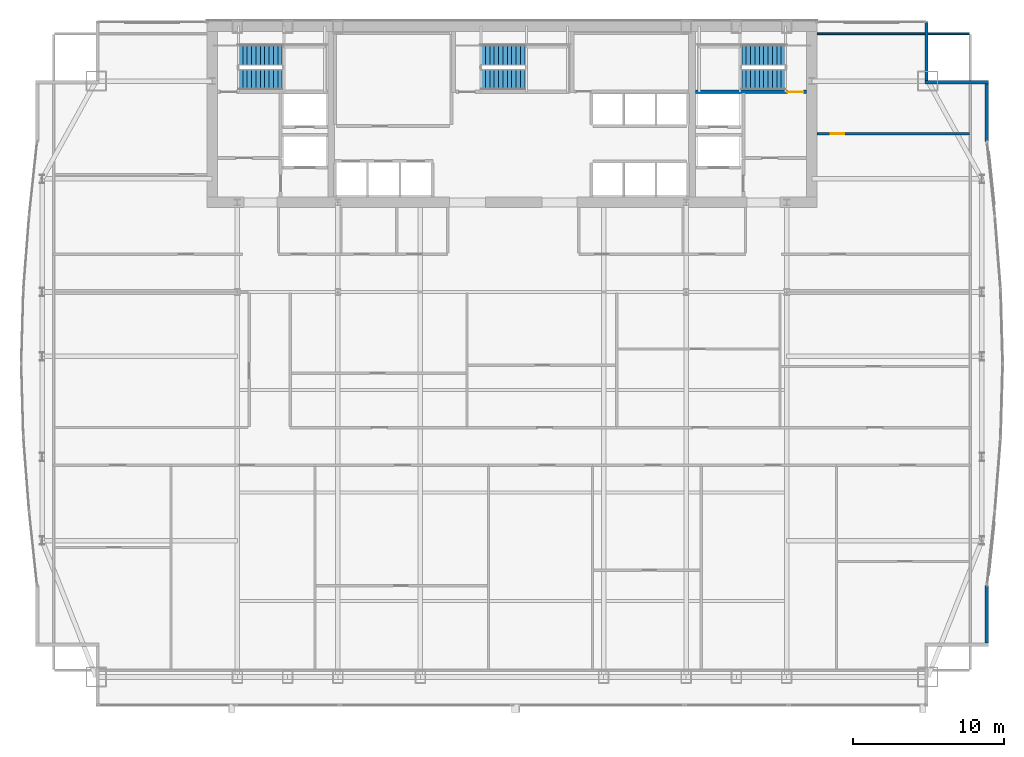
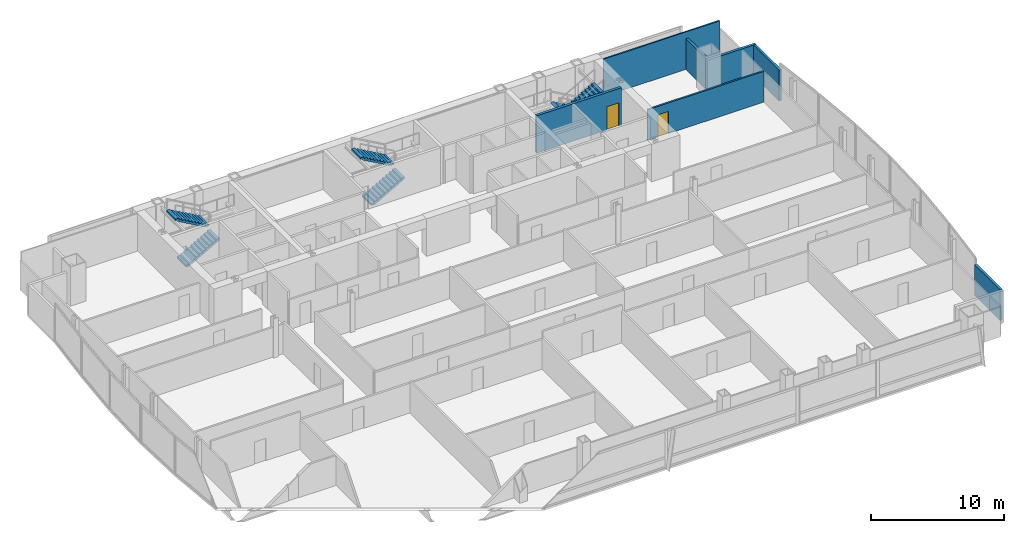
# One storey, part 27 of 29: 7 walls, 6 stair flights, 2 doors, 2 openings, 3 elements without a shape of their own.
"""IFC4 building model written with IfcOpenShell, lengths in metres."""

import ifcopenshell
import ifcopenshell.guid

model = None  # the IFC model being written
_history = None  # IfcOwnerHistory: only IFC2X3 demands one
_inside = {}  # id of a spatial element -> (the spatial element, [elements in it])
_under = {}  # id of a project, library or spatial element -> (it, [spatial elements below it])
_declared = {}  # id of a project -> (the project, [libraries it declares])
_typed = {}  # id of a type object -> (the type object, [elements of that type])
_made_of = {}  # id of a material, layer set ... -> (it, [elements and type objects made of it])


def new_model(schema):
    """Start an empty IFC model of exactly this schema.

    Asked for "IFC4X3", IfcOpenShell would pick the latest addendum, in which some entities
    have other attributes; the version numbers below select the first issue.
    IFC2X3 requires an IfcOwnerHistory on every rooted entity: one is made here for all.
    """
    global model, _history
    if schema == "IFC4X3":
        model = ifcopenshell.file(schema_version=(4, 3, 0, 0))
    else:
        model = ifcopenshell.file(schema=schema)
    _inside.clear()
    _under.clear()
    _declared.clear()
    _typed.clear()
    _made_of.clear()
    _history = None
    if model.schema == "IFC2X3":
        org = make("IfcOrganization", Name="unknown")
        user = make(
            "IfcPersonAndOrganization",
            ThePerson=make("IfcPerson", FamilyName="unknown"),
            TheOrganization=org,
        )
        app = make(
            "IfcApplication",
            ApplicationDeveloper=org,
            Version="unknown",
            ApplicationFullName="unknown",
            ApplicationIdentifier="unknown",
        )
        _history = make(
            "IfcOwnerHistory",
            OwningUser=user,
            OwningApplication=app,
            ChangeAction="ADDED",
            CreationDate=0,
        )
    return model


def make(cls, **values):
    """One entity of the class cls with the attributes given. An attribute that is None is left unset."""
    return model.create_entity(
        cls, **{name: value for name, value in values.items() if value is not None}
    )


def rooted(cls, **values):
    """An entity with a GlobalId (a new one), such as an element, a storey or a relation."""
    return make(cls, GlobalId=ifcopenshell.guid.new(), OwnerHistory=_history, **values)


def si_unit(unit_type, name, prefix=None):
    """IfcSIUnit, for example si_unit("LENGTHUNIT", "METRE", prefix="MILLI")."""
    return make("IfcSIUnit", UnitType=unit_type, Prefix=prefix, Name=name)


def assignment(units):
    """IfcUnitAssignment: the units of a project."""
    return None if units is None else make("IfcUnitAssignment", Units=units)


def point(xyz):
    """IfcCartesianPoint."""
    return None if xyz is None else make("IfcCartesianPoint", Coordinates=xyz)


def direction(xyz):
    """IfcDirection."""
    return None if xyz is None else make("IfcDirection", DirectionRatios=xyz)


def frame(location, z_axis=None, x_axis=None):
    """IfcAxis2Placement3D, a coordinate frame: its origin and axes. An axis left out is left unset."""
    return make(
        "IfcAxis2Placement3D",
        Location=point(location),
        Axis=direction(z_axis),
        RefDirection=direction(x_axis),
    )


def frame_2d(location, x_axis=None):
    """IfcAxis2Placement2D, a coordinate frame in the plane: its origin and x axis."""
    return make(
        "IfcAxis2Placement2D", Location=point(location), RefDirection=direction(x_axis)
    )


def origin():
    """The frame at (0, 0, 0) with its axes left unset."""
    return frame((0.0, 0.0, 0.0))


def place(relative_to, where):
    """IfcLocalPlacement: puts the frame where relative to a parent placement (None: the world)."""
    return make(
        "IfcLocalPlacement", PlacementRelTo=relative_to, RelativePlacement=where
    )


def context(
    kind, dimensions, precision=None, world=None, true_north=None, identifier=None
):
    """IfcGeometricRepresentationContext, for example the 3D "Model" context."""
    return make(
        "IfcGeometricRepresentationContext",
        ContextIdentifier=identifier,
        ContextType=kind,
        CoordinateSpaceDimension=dimensions,
        Precision=precision,
        WorldCoordinateSystem=world,
        TrueNorth=true_north,
    )


def subcontext(parent, identifier, kind, view, scale=None):
    """IfcGeometricRepresentationSubContext, for example "Body" below "Model"."""
    return make(
        "IfcGeometricRepresentationSubContext",
        ContextIdentifier=identifier,
        ContextType=kind,
        ParentContext=parent,
        TargetScale=scale,
        TargetView=view,
    )


def project(units=None, contexts=None):
    """IfcProject with its units and contexts."""
    return rooted(
        "IfcProject",
        Name="project",
        RepresentationContexts=contexts,
        UnitsInContext=assignment(units),
    )


def spatial(cls, under=None, at=None, **own):
    """A site, building, storey or space (cls), placed at a placement, below another one or the project."""
    s = rooted(cls, ObjectPlacement=at, **own)
    if under is not None:
        _under.setdefault(under.id(), (under, []))[1].append(s)
    return s


def polyline(points):
    """IfcPolyline through the points."""
    return make("IfcPolyline", Points=[point(p) for p in points])


def profile(cls, at=None, kind="AREA", **sizes):
    """A parametric profile (cls). Its sizes go by their IFC names, for example OverallWidth=200.0."""
    return make(cls, ProfileType=kind, Position=at, **sizes)


def rectangle(**sizes):
    """IfcRectangleProfileDef."""
    return profile("IfcRectangleProfileDef", **sizes)


def outline(outer, holes=None, kind="AREA"):
    """IfcArbitraryClosedProfileDef: a profile drawn as a closed curve; with holes, ...WithVoids."""
    if holes is None:
        return make("IfcArbitraryClosedProfileDef", ProfileType=kind, OuterCurve=outer)
    return make(
        "IfcArbitraryProfileDefWithVoids",
        ProfileType=kind,
        OuterCurve=outer,
        InnerCurves=holes,
    )


def extrude(swept, where, along, depth):
    """IfcExtrudedAreaSolid: the profile swept, set in the frame where, extruded along a direction by depth."""
    return make(
        "IfcExtrudedAreaSolid",
        SweptArea=swept,
        Position=where,
        ExtrudedDirection=direction(along),
        Depth=depth,
    )


def shape(context_of_items, identifier, shape_type, items):
    """IfcShapeRepresentation: the items that make up one representation, for example the "Body"."""
    return make(
        "IfcShapeRepresentation",
        ContextOfItems=context_of_items,
        RepresentationIdentifier=identifier,
        RepresentationType=shape_type,
        Items=items,
    )


def material(Name=None, Category=None):
    """IfcMaterial."""
    return make("IfcMaterial", Name=Name, Category=Category)


def layer(
    of_material, thickness, ventilated=None, Name=None, Category=None, Priority=None
):
    """IfcMaterialLayer: one layer of a wall or slab, of a material (None: an air gap)."""
    return make(
        "IfcMaterialLayer",
        Material=of_material,
        LayerThickness=thickness,
        IsVentilated=ventilated,
        Name=Name,
        Category=Category,
        Priority=Priority,
    )


def layer_set(layers, Name=None):
    """IfcMaterialLayerSet."""
    return make("IfcMaterialLayerSet", MaterialLayers=layers, LayerSetName=Name)


def made_of(thing, what):
    """Note that an element or type object is made of a material, layer set ...; save() writes the relation."""
    if what is not None:
        _made_of.setdefault(what.id(), (what, []))[1].append(thing)
    return thing


def type_object(cls, material=None, **own):
    """A type object (cls), such as IfcWallType, which elements share."""
    return made_of(rooted(cls, **own), material)


def element(
    cls,
    number,
    at=None,
    inside=None,
    cuts=None,
    type_object=None,
    material=None,
    context=None,
    identifier="Body",
    shape_type=None,
    held_by="IfcProductDefinitionShape",
    body=None,
    shapes=None,
    **own,
):
    """One element of the class cls, such as IfcWall. Its Tag is "e" and its number.

    at: its placement. inside: the storey or other place that contains it. cuts: it is an
    opening in that element (IfcRelVoidsElement). A single representation is given by context,
    identifier, shape_type and body (its items); several are given by shapes. held_by: the class
    of the entity that holds the representations. save() writes the other relations.
    """
    e = rooted(cls, Tag="e%d" % number, ObjectPlacement=at, **own)
    if body is not None:
        shapes = [shape(context, identifier, shape_type, body)]
    if shapes is not None:
        e.Representation = make(held_by, Representations=shapes)
    if inside is not None:
        _inside.setdefault(inside.id(), (inside, []))[1].append(e)
    if cuts is not None:
        rooted(
            "IfcRelVoidsElement", RelatingBuildingElement=cuts, RelatedOpeningElement=e
        )
    if type_object is not None:
        _typed.setdefault(type_object.id(), (type_object, []))[1].append(e)
    return made_of(e, material)


def fill(opening, filler):
    """IfcRelFillsElement: the door or window that sits in an opening."""
    return rooted(
        "IfcRelFillsElement",
        RelatingOpeningElement=opening,
        RelatedBuildingElement=filler,
    )


def aggregate(whole, parts):
    """IfcRelAggregates: a whole, such as a stair, and the parts it consists of."""
    return rooted("IfcRelAggregates", RelatingObject=whole, RelatedObjects=parts)


def save(model, path):
    """Write the relations noted so far, then the file.

    IfcRelAggregates (storeys below a building ...), IfcRelContainedInSpatialStructure (elements
    in a storey), IfcRelDefinesByType, IfcRelAssociatesMaterial and IfcRelDeclares: one each for
    every whole, place, type object, material and project.
    """
    for whole, parts in _under.values():
        aggregate(whole, parts)
    for where, things in _inside.values():
        rooted(
            "IfcRelContainedInSpatialStructure",
            RelatedElements=things,
            RelatingStructure=where,
        )
    for kind, things in _typed.values():
        rooted("IfcRelDefinesByType", RelatedObjects=things, RelatingType=kind)
    for what, things in _made_of.values():
        rooted("IfcRelAssociatesMaterial", RelatedObjects=things, RelatingMaterial=what)
    for by, libraries in _declared.values():
        rooted("IfcRelDeclares", RelatingContext=by, RelatedDefinitions=libraries)
    model.write(path)


model = new_model("IFC4")

# Units and contexts
model_context = context("Model", 3, precision=1e-05, world=origin(), true_north=direction((0.0, 1.0)))
body_context = subcontext(model_context, "Body", "Model", "MODEL_VIEW")
ifc_project = project(units=[si_unit("LENGTHUNIT", "METRE"), si_unit("AREAUNIT", "SQUARE_METRE"), si_unit("VOLUMEUNIT", "CUBIC_METRE"), si_unit("PLANEANGLEUNIT", "RADIAN"), si_unit("MASSUNIT", "GRAM", prefix="KILO")], contexts=[model_context])

# Site, building, storey
site_placement = place(None, origin())
site = spatial("IfcSite", under=ifc_project, at=site_placement, CompositionType="ELEMENT")
building_placement = place(site_placement, origin())
building = spatial("IfcBuilding", under=site, at=building_placement, Name="Khoronbel Lancet Exchange", CompositionType="ELEMENT")
storey_placement = place(building_placement, frame((0.0, 0.0, 139.800048828125)))
storey = spatial("IfcBuildingStorey", under=building, at=storey_placement, Name="L34", CompositionType="ELEMENT", Elevation=139.800048828125)

# Walls
ifc_material_1 = material(Name="Precast concrete C40/50", Category="concrete")
ifc_layer_1 = layer(ifc_material_1, 0.25, Name="Precast concrete C40/50")
ifc_layer_set_1 = layer_set([ifc_layer_1], Name="Precast concrete C40/50")
wall_type_1 = type_object("IfcWallType", Name="WL-EXT250", PredefinedType="SOLIDWALL", material=ifc_layer_set_1)
wall_1_placement = place(storey_placement, frame((63.9599609375, 53.6298828125, 0.0), z_axis=(0.0, 0.0, 1.0), x_axis=(0.0, -1.0, 0.0)))
element("IfcWall", 1, at=wall_1_placement, inside=storey, type_object=wall_type_1, Name="Level L34 notched-corner limestone pier 14", PredefinedType="SOLIDWALL", context=body_context, shape_type="SweptSolid", body=[
    extrude(rectangle(XDim=3.909912109375, YDim=0.219970703125, at=frame_2d((1.955078125, 0.0))), origin(), (0.0, 0.0, 1.0), 2.829833984375),
])
wall_2_placement = place(storey_placement, frame((63.85009765625, 49.610107421875, 0.0), z_axis=(0.0, 0.0, 1.0), x_axis=(1.0, 0.0, 0.0)))
element("IfcWall", 2, at=wall_2_placement, inside=storey, type_object=wall_type_1, Name="Level L34 notched-corner limestone pier 15", PredefinedType="SOLIDWALL", context=body_context, shape_type="SweptSolid", body=[
    extrude(rectangle(XDim=4.219970703125, YDim=0.219970703125, at=frame_2d((2.10986328125, 0.0))), origin(), (0.0, 0.0, 1.0), 2.829833984375),
])
wall_3_placement = place(storey_placement, frame((67.9599609375, 49.5, 0.0), z_axis=(0.0, 0.0, 1.0), x_axis=(0.0, -1.0, 0.0)))
element("IfcWall", 3, at=wall_3_placement, inside=storey, type_object=wall_type_1, Name="Level L34 notched-corner limestone pier 16", PredefinedType="SOLIDWALL", context=body_context, shape_type="SweptSolid", body=[
    extrude(rectangle(XDim=3.82470703125, YDim=0.219970703125, at=frame_2d((1.912353515625, 0.0))), origin(), (0.0, 0.0, 1.0), 2.829833984375),
])
wall_4_placement = place(storey_placement, frame((67.9599609375, 16.224853515625, 0.0), z_axis=(0.0, 0.0, 1.0), x_axis=(0.0, -1.0, 0.0)))
element("IfcWall", 4, at=wall_4_placement, inside=storey, type_object=wall_type_1, Name="Level L34 notched-corner limestone pier 23", PredefinedType="SOLIDWALL", context=body_context, shape_type="SweptSolid", body=[
    extrude(rectangle(XDim=3.824951171875, YDim=0.219970703125, at=frame_2d((1.91259765625, 0.0))), origin(), (0.0, 0.0, 1.0), 2.829833984375),
])

# Wall, opening, door
ifc_material_2 = material(Name="Acoustic Metal-Stud & Mineral-Wool Gypsum Partition 120 mm", Category="gypsum")
ifc_layer_2 = layer(ifc_material_2, 0.1201171875, Name="Acoustic Metal-Stud & Mineral-Wool Gypsum Partition 120 mm")
ifc_layer_set_2 = layer_set([ifc_layer_2], Name="Acoustic Metal-Stud & Mineral-Wool Gypsum Partition 120 mm")
wall_type_2 = type_object("IfcWallType", Name="WL-PRT120", PredefinedType="PARTITIONING", material=ifc_layer_set_2)
wall_5_placement = place(storey_placement, frame((56.699951171875, 46.199951171875, 0.0), z_axis=(0.0, 0.0, 1.0), x_axis=(1.0, 0.0, 0.0)))
wall_5 = element("IfcWall", 5, at=wall_5_placement, inside=storey, type_object=wall_type_2, Name="Level L34 interior partition PW-NE-H", PredefinedType="PARTITIONING", context=body_context, shape_type="SweptSolid", body=[
    extrude(rectangle(XDim=10.10498046875, YDim=0.14990234375, at=frame_2d((5.052490234375, 0.0))), origin(), (0.0, 0.0, 1.0), 2.829833984375),
])
opening_1_placement = place(wall_5_placement, frame((0.89990234375, 0.0, 0.0)))
opening_1 = element("IfcOpeningElement", 6, at=opening_1_placement, cuts=wall_5, Name="Opening D5", PredefinedType="OPENING", context=body_context, shape_type="SweptSolid", body=[
    extrude(rectangle(XDim=0.89990234375, YDim=2.050048828125, at=frame_2d((0.449951171875, 1.02490234375))), frame((0.0, 0.0849609375, 0.0), z_axis=(0.0, -1.0, 0.0), x_axis=(1.0, 0.0, 0.0)), (0.0, 0.0, 1.0), 0.169921875),
])
ifc_material_3 = material(Name="Acoustic Timber Pantry & Support Door", Category="wood")
door_type_1 = type_object("IfcDoorType", Name="DR-D5", OperationType="NOTDEFINED", PredefinedType="DOOR", material=ifc_material_3)
door_1_placement = place(opening_1_placement, origin())
door_1 = element("IfcDoor", 7, at=door_1_placement, inside=storey, type_object=door_type_1, Name="NE north room door L34-1", OperationType="SINGLE_SWING_RIGHT", OverallHeight=2.050048828125, OverallWidth=0.89990234375, PredefinedType="DOOR", context=body_context, shape_type="SweptSolid", body=[
    extrude(rectangle(XDim=0.89990234375, YDim=2.050048828125, at=frame_2d((0.449951171875, 1.02490234375))), frame((0.0, 0.02490234375, 0.0), z_axis=(0.0, -1.0, 0.0), x_axis=(1.0, 0.0, 0.0)), (0.0, 0.0, 1.0), 0.050048828125),
])
fill(opening_1, door_1)

# Wall
wall_6_placement = place(storey_placement, frame((56.699951171875, 52.840087890625, 0.0), z_axis=(0.0, 0.0, 1.0), x_axis=(1.0, 0.0, 0.0)))
element("IfcWall", 8, at=wall_6_placement, inside=storey, type_object=wall_type_2, Name="Level L34 interior partition PW-LIN-NE", PredefinedType="PARTITIONING", context=body_context, shape_type="SweptSolid", body=[
    extrude(rectangle(XDim=10.10498046875, YDim=0.1201171875, at=frame_2d((5.052490234375, 0.0))), origin(), (0.0, 0.0, 1.0), 3.43994140625),
])

# Wall, opening, door
ifc_material_4 = material(Name="Concrete C60/75", Category="concrete")
ifc_layer_3 = layer(ifc_material_4, 0.260009765625, Name="Concrete C60/75")
ifc_layer_set_3 = layer_set([ifc_layer_3], Name="Concrete C60/75")
wall_type_3 = type_object("IfcWallType", Name="WL-SW3", PredefinedType="SHEAR", material=ifc_layer_set_3)
wall_7_placement = place(storey_placement, frame((48.6298828125, 48.97998046875, 0.0), z_axis=(0.0, 0.0, 1.0), x_axis=(1.0, 0.0, 0.0)))
wall_7 = element("IfcWall", 9, at=wall_7_placement, inside=storey, type_object=wall_type_3, Name="Level L34 east stairwell structural south wall", PredefinedType="SHEAR", context=body_context, shape_type="SweptSolid", body=[
    extrude(rectangle(XDim=7.3701171875, YDim=0.239990234375, at=frame_2d((3.68505859375, 0.0))), origin(), (0.0, 0.0, 1.0), 3.43994140625),
])
opening_2_placement = place(wall_7_placement, frame((6.10009765625, 0.0, 0.0)))
opening_2 = element("IfcOpeningElement", 10, at=opening_2_placement, cuts=wall_7, Name="Opening SD1", PredefinedType="OPENING", context=body_context, shape_type="SweptSolid", body=[
    extrude(rectangle(XDim=1.050048828125, YDim=2.14990234375, at=frame_2d((0.52490234375, 1.074951171875))), frame((0.0, 0.1298828125, 0.0), z_axis=(0.0, -1.0, 0.0), x_axis=(1.0, 0.0, 0.0)), (0.0, 0.0, 1.0), 0.260009765625),
])
ifc_material_5 = material(Name="Fire-Rated Steel Stairwell Door Assembly", Category="steel")
door_type_2 = type_object("IfcDoorType", Name="DR-SD1", OperationType="NOTDEFINED", PredefinedType="DOOR", material=ifc_material_5)
door_2_placement = place(opening_2_placement, origin())
door_2 = element("IfcDoor", 11, at=door_2_placement, inside=storey, type_object=door_type_2, Name="Protected exit stair ST2 door L34", OperationType="SINGLE_SWING_RIGHT", OverallHeight=2.14990234375, OverallWidth=1.050048828125, PredefinedType="DOOR", context=body_context, shape_type="SweptSolid", body=[
    extrude(rectangle(XDim=1.050048828125, YDim=2.14990234375, at=frame_2d((0.52490234375, 1.074951171875))), frame((0.0, 0.02490234375, 0.0), z_axis=(0.0, -1.0, 0.0), x_axis=(1.0, 0.0, 0.0)), (0.0, 0.0, 1.0), 0.050048828125),
])
fill(opening_2, door_2)

# Stair, stair flights
ifc_material_6 = material(Name="Concrete C40/50", Category="concrete")
stair_type = type_object("IfcStairType", Name="STR-CORE150", PredefinedType="HALF_TURN_STAIR", material=ifc_material_6)
stair_1_placement = place(storey_placement, origin())
stair_1 = element("IfcStair", 12, at=stair_1_placement, inside=storey, type_object=stair_type, Name="L34 Protected Exit Stair ST1", PredefinedType="HALF_TURN_STAIR")
stair_flight_type = type_object("IfcStairFlightType", Name="STF-150", PredefinedType="STRAIGHT", material=ifc_material_6)
stair_flight_1_placement = place(storey_placement, frame((18.300048828125, 49.81005859375, 0.0), z_axis=(0.0, 0.0, 1.0), x_axis=(1.0, 0.0, 0.0)))
stair_flight_1 = element("IfcStairFlight", 13, at=stair_flight_1_placement, type_object=stair_flight_type, Name="ST1 flight 1", NumberOfRisers=11, NumberOfTreads=10, PredefinedType="STRAIGHT", RiserHeight=0.163636364, TreadLength=0.29, context=body_context, shape_type="SweptSolid", body=[
    extrude(outline(polyline([(0.0, 0.0), (0.0, 0.16357421875), (0.2900390625, 0.16357421875), (0.2900390625, 0.327392578125), (0.580078125, 0.327392578125), (0.580078125, 0.490966796875), (0.8701171875, 0.490966796875), (0.8701171875, 0.654541015625), (1.159912109375, 0.654541015625), (1.159912109375, 0.818115234375), (1.449951171875, 0.818115234375), (1.449951171875, 0.98193359375), (1.739990234375, 0.98193359375), (1.739990234375, 1.1455078125), (2.030029296875, 1.1455078125), (2.030029296875, 1.30908203125), (2.320068359375, 1.30908203125), (2.320068359375, 1.47265625), (2.610107421875, 1.47265625), (2.610107421875, 1.636474609375), (2.89990234375, 1.636474609375), (2.89990234375, 1.800048828125), (2.89990234375, 1.46435546875), (0.304931640625, 0.0), (0.0, 0.0)])), frame((0.0, 0.68994140625, 0.0), z_axis=(0.0, -1.0, 0.0), x_axis=(1.0, 0.0, 0.0)), (0.0, 0.0, 1.0), 1.3798828125),
])
stair_flight_2_placement = place(storey_placement, frame((21.199951171875, 51.409912109375, 1.800048828125), z_axis=(0.0, 0.0, 1.0), x_axis=(-1.0, 0.0, 0.0)))
stair_flight_2 = element("IfcStairFlight", 14, at=stair_flight_2_placement, type_object=stair_flight_type, Name="ST1 flight 2", NumberOfRisers=11, NumberOfTreads=10, PredefinedType="STRAIGHT", RiserHeight=0.163636364, TreadLength=0.29, context=body_context, shape_type="SweptSolid", body=[
    extrude(outline(polyline([(0.0, 0.0), (0.0, 0.16357421875), (0.2900390625, 0.16357421875), (0.2900390625, 0.327392578125), (0.580078125, 0.327392578125), (0.580078125, 0.490966796875), (0.8701171875, 0.490966796875), (0.8701171875, 0.654541015625), (1.159912109375, 0.654541015625), (1.159912109375, 0.818115234375), (1.449951171875, 0.818115234375), (1.449951171875, 0.98193359375), (1.739990234375, 0.98193359375), (1.739990234375, 1.1455078125), (2.030029296875, 1.1455078125), (2.030029296875, 1.30908203125), (2.320068359375, 1.30908203125), (2.320068359375, 1.47265625), (2.610107421875, 1.47265625), (2.610107421875, 1.636474609375), (2.89990234375, 1.636474609375), (2.89990234375, 1.800048828125), (2.89990234375, 1.46435546875), (0.304931640625, 0.0), (0.0, 0.0)])), frame((0.0, 0.68994140625, 0.0), z_axis=(0.0, -1.0, 0.0), x_axis=(1.0, 0.0, 0.0)), (0.0, 0.0, 1.0), 1.3798828125),
])
aggregate(stair_1, [stair_flight_1, stair_flight_2])

stair_2_placement = place(storey_placement, origin())
stair_2 = element("IfcStair", 15, at=stair_2_placement, inside=storey, type_object=stair_type, Name="L34 Protected Exit Stair ST2", PredefinedType="HALF_TURN_STAIR")
stair_flight_3_placement = place(storey_placement, frame((54.60009765625, 51.409912109375, 0.0), z_axis=(0.0, 0.0, 1.0), x_axis=(-1.0, 0.0, 0.0)))
stair_flight_3 = element("IfcStairFlight", 16, at=stair_flight_3_placement, type_object=stair_flight_type, Name="ST2 flight 1", NumberOfRisers=11, NumberOfTreads=10, PredefinedType="STRAIGHT", RiserHeight=0.163636364, TreadLength=0.29, context=body_context, shape_type="SweptSolid", body=[
    extrude(outline(polyline([(0.0, 0.0), (0.0, 0.16357421875), (0.2900390625, 0.16357421875), (0.2900390625, 0.327392578125), (0.580078125, 0.327392578125), (0.580078125, 0.490966796875), (0.8701171875, 0.490966796875), (0.8701171875, 0.654541015625), (1.159912109375, 0.654541015625), (1.159912109375, 0.818115234375), (1.449951171875, 0.818115234375), (1.449951171875, 0.98193359375), (1.739990234375, 0.98193359375), (1.739990234375, 1.1455078125), (2.030029296875, 1.1455078125), (2.030029296875, 1.30908203125), (2.320068359375, 1.30908203125), (2.320068359375, 1.47265625), (2.610107421875, 1.47265625), (2.610107421875, 1.636474609375), (2.89990234375, 1.636474609375), (2.89990234375, 1.800048828125), (2.89990234375, 1.46435546875), (0.304931640625, 0.0), (0.0, 0.0)])), frame((0.0, 0.68994140625, 0.0), z_axis=(0.0, -1.0, 0.0), x_axis=(1.0, 0.0, 0.0)), (0.0, 0.0, 1.0), 1.3798828125),
])
stair_flight_4_placement = place(storey_placement, frame((51.699951171875, 49.81005859375, 1.800048828125), z_axis=(0.0, 0.0, 1.0), x_axis=(1.0, 0.0, 0.0)))
stair_flight_4 = element("IfcStairFlight", 17, at=stair_flight_4_placement, type_object=stair_flight_type, Name="ST2 flight 2", NumberOfRisers=11, NumberOfTreads=10, PredefinedType="STRAIGHT", RiserHeight=0.163636364, TreadLength=0.29, context=body_context, shape_type="SweptSolid", body=[
    extrude(outline(polyline([(0.0, 0.0), (0.0, 0.16357421875), (0.2900390625, 0.16357421875), (0.2900390625, 0.327392578125), (0.580078125, 0.327392578125), (0.580078125, 0.490966796875), (0.8701171875, 0.490966796875), (0.8701171875, 0.654541015625), (1.159912109375, 0.654541015625), (1.159912109375, 0.818115234375), (1.449951171875, 0.818115234375), (1.449951171875, 0.98193359375), (1.739990234375, 0.98193359375), (1.739990234375, 1.1455078125), (2.030029296875, 1.1455078125), (2.030029296875, 1.30908203125), (2.320068359375, 1.30908203125), (2.320068359375, 1.47265625), (2.610107421875, 1.47265625), (2.610107421875, 1.636474609375), (2.89990234375, 1.636474609375), (2.89990234375, 1.800048828125), (2.89990234375, 1.46435546875), (0.304931640625, 0.0), (0.0, 0.0)])), frame((0.0, 0.68994140625, 0.0), z_axis=(0.0, -1.0, 0.0), x_axis=(1.0, 0.0, 0.0)), (0.0, 0.0, 1.0), 1.3798828125),
])
aggregate(stair_2, [stair_flight_3, stair_flight_4])

stair_3_placement = place(storey_placement, origin())
stair_3 = element("IfcStair", 18, at=stair_3_placement, inside=storey, type_object=stair_type, Name="L34 Protected Exit Stair ST3", PredefinedType="HALF_TURN_STAIR")
stair_flight_5_placement = place(storey_placement, frame((34.39990234375, 49.81005859375, 0.0), z_axis=(0.0, 0.0, 1.0), x_axis=(1.0, 0.0, 0.0)))
stair_flight_5 = element("IfcStairFlight", 19, at=stair_flight_5_placement, type_object=stair_flight_type, Name="ST3 flight 1", NumberOfRisers=11, NumberOfTreads=10, PredefinedType="STRAIGHT", RiserHeight=0.163636364, TreadLength=0.29, context=body_context, shape_type="SweptSolid", body=[
    extrude(outline(polyline([(0.0, 0.0), (0.0, 0.16357421875), (0.2900390625, 0.16357421875), (0.2900390625, 0.327392578125), (0.580078125, 0.327392578125), (0.580078125, 0.490966796875), (0.8701171875, 0.490966796875), (0.8701171875, 0.654541015625), (1.159912109375, 0.654541015625), (1.159912109375, 0.818115234375), (1.449951171875, 0.818115234375), (1.449951171875, 0.98193359375), (1.739990234375, 0.98193359375), (1.739990234375, 1.1455078125), (2.030029296875, 1.1455078125), (2.030029296875, 1.30908203125), (2.320068359375, 1.30908203125), (2.320068359375, 1.47265625), (2.610107421875, 1.47265625), (2.610107421875, 1.636474609375), (2.89990234375, 1.636474609375), (2.89990234375, 1.800048828125), (2.89990234375, 1.46435546875), (0.304931640625, 0.0), (0.0, 0.0)])), frame((0.0, 0.68994140625, 0.0), z_axis=(0.0, -1.0, 0.0), x_axis=(1.0, 0.0, 0.0)), (0.0, 0.0, 1.0), 1.3798828125),
])
stair_flight_6_placement = place(storey_placement, frame((37.300048828125, 51.409912109375, 1.800048828125), z_axis=(0.0, 0.0, 1.0), x_axis=(-1.0, 0.0, 0.0)))
stair_flight_6 = element("IfcStairFlight", 20, at=stair_flight_6_placement, type_object=stair_flight_type, Name="ST3 flight 2", NumberOfRisers=11, NumberOfTreads=10, PredefinedType="STRAIGHT", RiserHeight=0.163636364, TreadLength=0.29, context=body_context, shape_type="SweptSolid", body=[
    extrude(outline(polyline([(0.0, 0.0), (0.0, 0.16357421875), (0.2900390625, 0.16357421875), (0.2900390625, 0.327392578125), (0.580078125, 0.327392578125), (0.580078125, 0.490966796875), (0.8701171875, 0.490966796875), (0.8701171875, 0.654541015625), (1.159912109375, 0.654541015625), (1.159912109375, 0.818115234375), (1.449951171875, 0.818115234375), (1.449951171875, 0.98193359375), (1.739990234375, 0.98193359375), (1.739990234375, 1.1455078125), (2.030029296875, 1.1455078125), (2.030029296875, 1.30908203125), (2.320068359375, 1.30908203125), (2.320068359375, 1.47265625), (2.610107421875, 1.47265625), (2.610107421875, 1.636474609375), (2.89990234375, 1.636474609375), (2.89990234375, 1.800048828125), (2.89990234375, 1.46435546875), (0.304931640625, 0.0), (0.0, 0.0)])), frame((0.0, 0.68994140625, 0.0), z_axis=(0.0, -1.0, 0.0), x_axis=(1.0, 0.0, 0.0)), (0.0, 0.0, 1.0), 1.3798828125),
])
aggregate(stair_3, [stair_flight_5, stair_flight_6])

save(model, "model.ifc")
